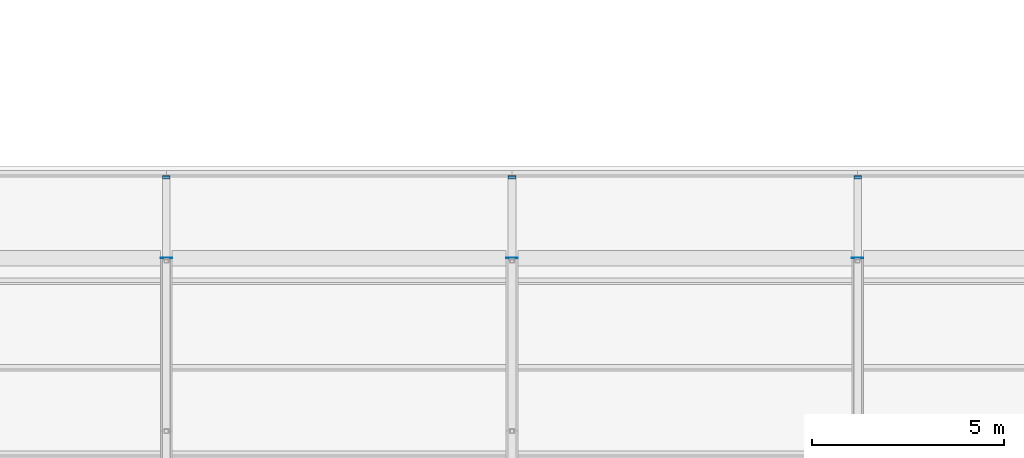
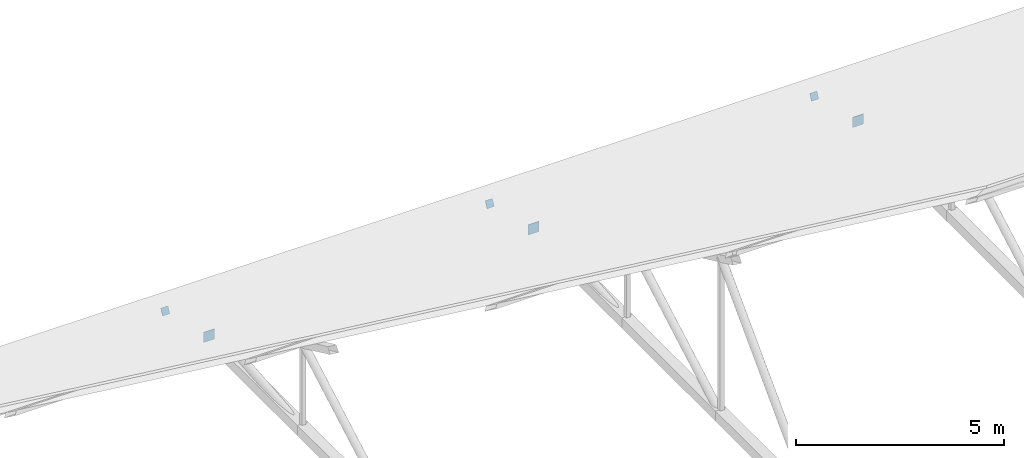
# One storey, part 134 of 154: 6 discrete accessories.
"""IFC4 building model written with IfcOpenShell, lengths in metres."""

from ifc_helpers import new_model, si_unit, direction, frame, origin, origin_2d, place, context, subcontext, project, spatial, rectangle, extrude, material, material_profile, profile_set, type_object, element, save


model = new_model("IFC4")

# Units and contexts
model_context = context("Model", 3, precision=1e-05, world=origin(), true_north=direction((0.0, 1.0)))
body_context = subcontext(model_context, "Body", "Model", "MODEL_VIEW")
ifc_project = project(units=[si_unit("LENGTHUNIT", "METRE"), si_unit("AREAUNIT", "SQUARE_METRE"), si_unit("VOLUMEUNIT", "CUBIC_METRE"), si_unit("PLANEANGLEUNIT", "RADIAN"), si_unit("MASSUNIT", "GRAM", prefix="KILO")], contexts=[model_context])

# Site, building, storey
site_placement = place(None, origin())
site = spatial("IfcSite", under=ifc_project, at=site_placement, CompositionType="ELEMENT")
building_placement = place(site_placement, origin())
building = spatial("IfcBuilding", under=site, at=building_placement, Name="Golden Quay Civic Hall", CompositionType="ELEMENT")
storey_placement = place(building_placement, frame((0.0, 0.0, 14.39990234375)))
storey = spatial("IfcBuildingStorey", under=building, at=storey_placement, Name="L03", CompositionType="ELEMENT", Elevation=14.39990234375)

# Discrete accessories
ifc_material_1 = material(Name="Steel S355", Category="steel")
ifc_material_profile_1 = material_profile(ifc_material_1, rectangle(XDim=0.199951171875, YDim=0.199951171875, at=origin_2d()), Name="Steel end cap plate 200x200x16")
ifc_profile_set_1 = profile_set([ifc_material_profile_1], Name="Steel S355")
discrete_accessory_type_1 = type_object("IfcDiscreteAccessoryType", Name="Steel end cap plate 200x200x16", PredefinedType="BRACKET", material=ifc_profile_set_1)
for number, where, z_axis, x_axis, name in (
    (1, (135.0, 101.10009765625, -0.651123046875), (0.0, 0.90342581024, -0.428744452317), (-1.0, 0.0, 0.0), "End cap truss 135 top chord 10"),
    (2, (144.0, 101.10009765625, -0.651123046875), (0.0, 0.90342581024, -0.428744452317), (-1.0, 0.0, 0.0), "End cap truss 144 top chord 10"),
    (3, (153.0, 101.10009765625, -0.651123046875), (0.0, 0.90342581024, -0.428744452317), (-1.0, 0.0, 0.0), "End cap truss 153 top chord 10"),
):
    element("IfcDiscreteAccessory", number, at=place(storey_placement, frame(where, z_axis=z_axis, x_axis=x_axis)), inside=storey, type_object=discrete_accessory_type_1, Name=name, PredefinedType="BRACKET", context=body_context, shape_type="SweptSolid", body=[
        extrude(rectangle(XDim=0.199951171875, YDim=0.199951171875, at=origin_2d()), origin(), (0.0, 0.0, 1.0), 0.015869140625),
    ])
ifc_material_2 = material(Name="Steel S355", Category="steel")
ifc_material_profile_2 = material_profile(ifc_material_2, rectangle(XDim=0.300048828125, YDim=0.300048828125, at=origin_2d()), Name="Steel end cap plate 300x300x16")
ifc_profile_set_2 = profile_set([ifc_material_profile_2], Name="Steel S355")
discrete_accessory_type_2 = type_object("IfcDiscreteAccessoryType", Name="Steel end cap plate 300x300x16", PredefinedType="BRACKET", material=ifc_profile_set_2)
for number, where, z_axis, x_axis, name in (
    (4, (135.0, 99.0, -0.099853515625), (0.0, 1.0, 0.0), (-1.0, 0.0, 0.0), "End cap truss 135 bottom chord 8"),
    (5, (144.0, 99.0, -0.099853515625), (0.0, 1.0, 0.0), (-1.0, 0.0, 0.0), "End cap truss 144 bottom chord 8"),
    (6, (153.0, 99.0, -0.099853515625), (0.0, 1.0, 0.0), (-1.0, 0.0, 0.0), "End cap truss 153 bottom chord 8"),
):
    element("IfcDiscreteAccessory", number, at=place(storey_placement, frame(where, z_axis=z_axis, x_axis=x_axis)), inside=storey, type_object=discrete_accessory_type_2, Name=name, PredefinedType="BRACKET", context=body_context, shape_type="SweptSolid", body=[
        extrude(rectangle(XDim=0.300048828125, YDim=0.300048828125, at=origin_2d()), origin(), (0.0, 0.0, 1.0), 0.01611328125),
    ])

save(model, "model.ifc")
